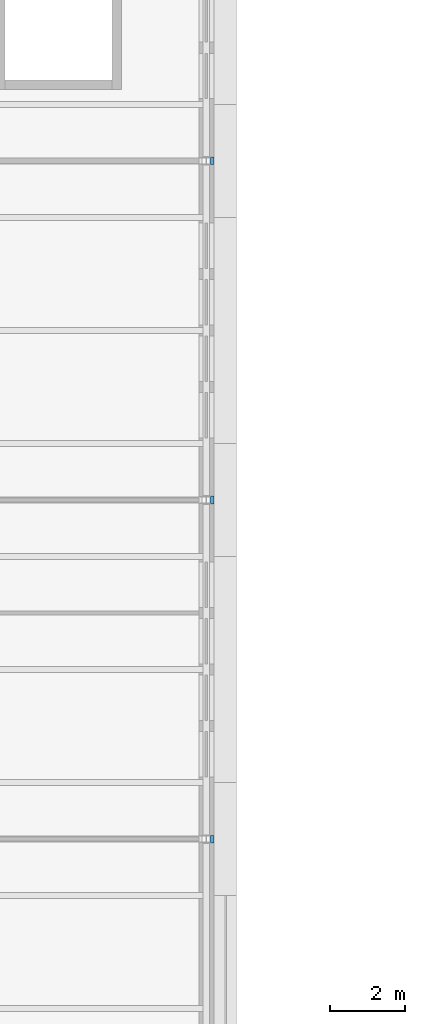
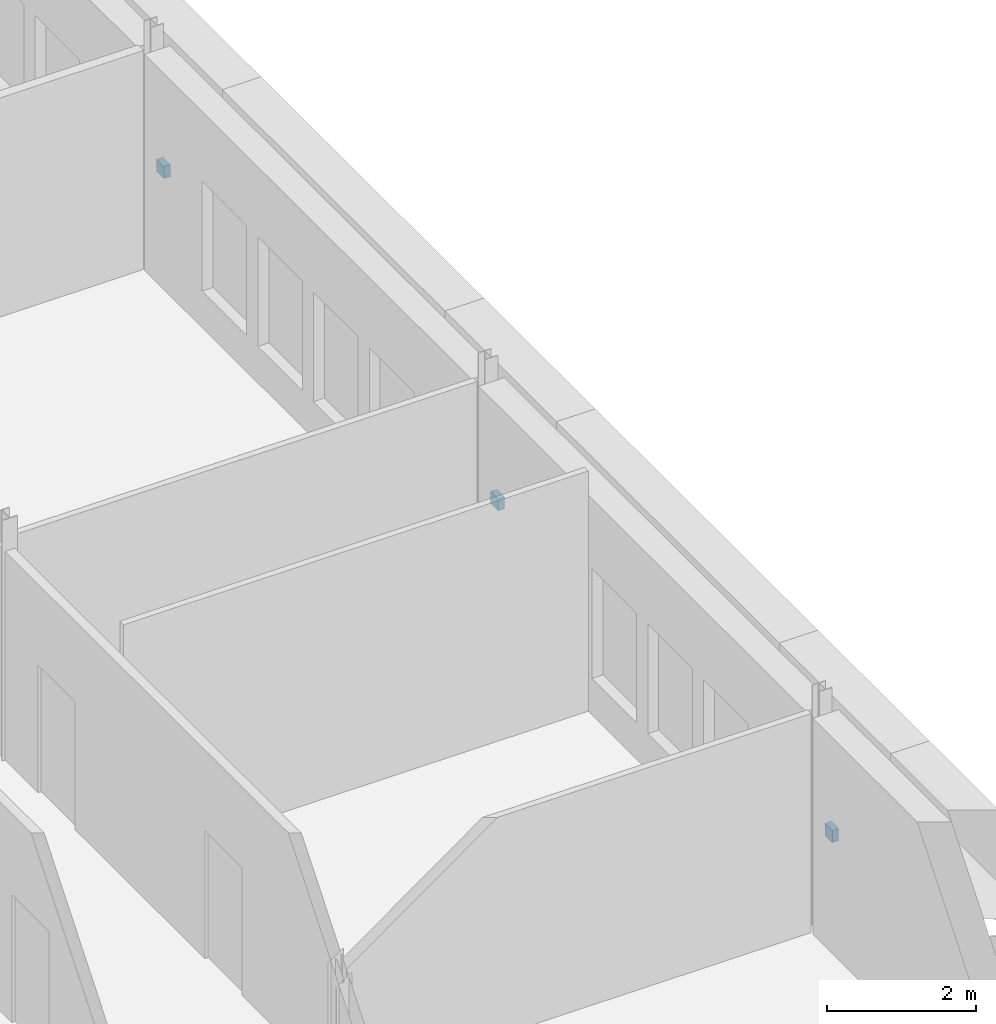
# One storey, part 125 of 154: 3 discrete accessories.
"""IFC4 building model written with IfcOpenShell, lengths in metres."""

from ifc_helpers import new_model, si_unit, direction, frame, origin, origin_2d, place, context, subcontext, project, spatial, rectangle, extrude, material, type_object, element, save


model = new_model("IFC4")

# Units and contexts
model_context = context("Model", 3, precision=1e-05, world=origin(), true_north=direction((0.0, 1.0)))
body_context = subcontext(model_context, "Body", "Model", "MODEL_VIEW")
ifc_project = project(units=[si_unit("LENGTHUNIT", "METRE"), si_unit("AREAUNIT", "SQUARE_METRE"), si_unit("VOLUMEUNIT", "CUBIC_METRE"), si_unit("PLANEANGLEUNIT", "RADIAN"), si_unit("MASSUNIT", "GRAM", prefix="KILO")], contexts=[model_context])

# Site, building, storey
site_placement = place(None, origin())
site = spatial("IfcSite", under=ifc_project, at=site_placement, CompositionType="ELEMENT")
building_placement = place(site_placement, origin())
building = spatial("IfcBuilding", under=site, at=building_placement, Name="Golden Quay Civic Hall", CompositionType="ELEMENT")
storey_placement = place(building_placement, frame((0.0, 0.0, 14.39990234375)))
storey = spatial("IfcBuildingStorey", under=building, at=storey_placement, Name="L03", CompositionType="ELEMENT", Elevation=14.39990234375)

# Discrete accessories
ifc_material = material(Name="Steel S355", Category="steel")
discrete_accessory_type = type_object("IfcDiscreteAccessoryType", Name="Pier fixing bracket 200 x 200", PredefinedType="BRACKET", material=ifc_material)
for number, where, z_axis, x_axis, name in (
    (1, (117.14990234375, 27.0, 1.39990234375), (0.0, 0.0, 1.0), (0.0, 1.0, 0.0), "Pier fixing bracket 200 x 200 L03 19"),
    (2, (117.14990234375, 36.0, 1.39990234375), (0.0, 0.0, 1.0), (0.0, 1.0, 0.0), "Pier fixing bracket 200 x 200 L03 20"),
    (3, (117.14990234375, 45.0, 1.39990234375), (0.0, 0.0, 1.0), (0.0, 1.0, 0.0), "Pier fixing bracket 200 x 200 L03 21"),
):
    element("IfcDiscreteAccessory", number, at=place(storey_placement, frame(where, z_axis=z_axis, x_axis=x_axis)), inside=storey, type_object=discrete_accessory_type, Name=name, PredefinedType="BRACKET", context=body_context, shape_type="SweptSolid", body=[
        extrude(rectangle(XDim=0.199951171875, YDim=0.10009765625, at=origin_2d()), origin(), (0.0, 0.0, 1.0), 0.199951171875),
    ])

save(model, "model.ifc")
